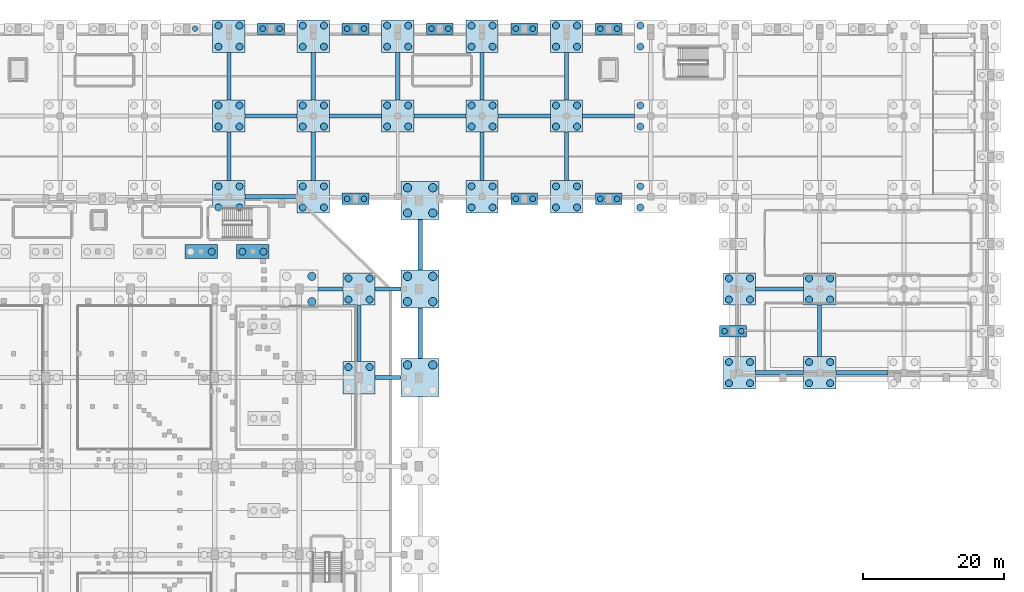
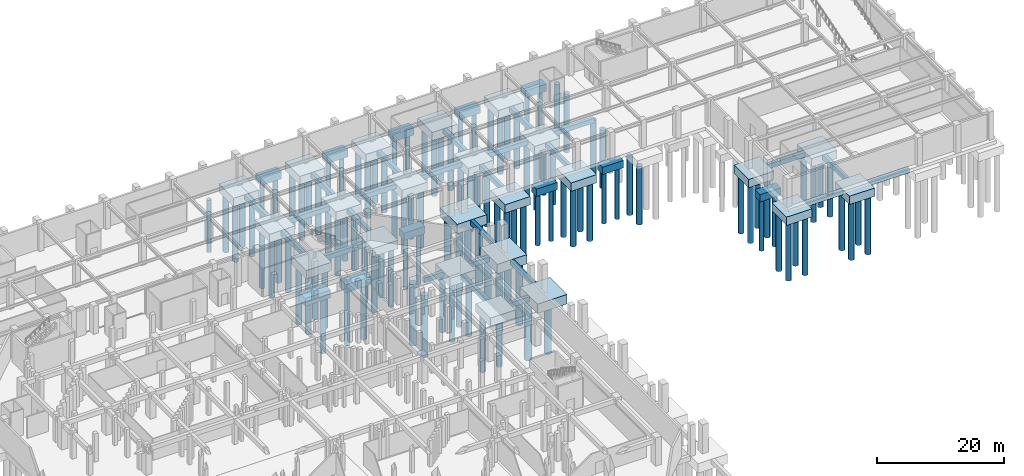
# One storey, part 4 of 27: 118 piles, 59 footings.
"""IFC4 building model written with IfcOpenShell, lengths in metres."""

import ifcopenshell
import ifcopenshell.guid

model = None  # the IFC model being written
_history = None  # IfcOwnerHistory: only IFC2X3 demands one
_inside = {}  # id of a spatial element -> (the spatial element, [elements in it])
_under = {}  # id of a project, library or spatial element -> (it, [spatial elements below it])
_declared = {}  # id of a project -> (the project, [libraries it declares])
_typed = {}  # id of a type object -> (the type object, [elements of that type])
_made_of = {}  # id of a material, layer set ... -> (it, [elements and type objects made of it])


def new_model(schema):
    """Start an empty IFC model of exactly this schema.

    Asked for "IFC4X3", IfcOpenShell would pick the latest addendum, in which some entities
    have other attributes; the version numbers below select the first issue.
    IFC2X3 requires an IfcOwnerHistory on every rooted entity: one is made here for all.
    """
    global model, _history
    if schema == "IFC4X3":
        model = ifcopenshell.file(schema_version=(4, 3, 0, 0))
    else:
        model = ifcopenshell.file(schema=schema)
    _inside.clear()
    _under.clear()
    _declared.clear()
    _typed.clear()
    _made_of.clear()
    _history = None
    if model.schema == "IFC2X3":
        org = make("IfcOrganization", Name="unknown")
        user = make(
            "IfcPersonAndOrganization",
            ThePerson=make("IfcPerson", FamilyName="unknown"),
            TheOrganization=org,
        )
        app = make(
            "IfcApplication",
            ApplicationDeveloper=org,
            Version="unknown",
            ApplicationFullName="unknown",
            ApplicationIdentifier="unknown",
        )
        _history = make(
            "IfcOwnerHistory",
            OwningUser=user,
            OwningApplication=app,
            ChangeAction="ADDED",
            CreationDate=0,
        )
    return model


def make(cls, **values):
    """One entity of the class cls with the attributes given. An attribute that is None is left unset."""
    return model.create_entity(
        cls, **{name: value for name, value in values.items() if value is not None}
    )


def rooted(cls, **values):
    """An entity with a GlobalId (a new one), such as an element, a storey or a relation."""
    return make(cls, GlobalId=ifcopenshell.guid.new(), OwnerHistory=_history, **values)


def si_unit(unit_type, name, prefix=None):
    """IfcSIUnit, for example si_unit("LENGTHUNIT", "METRE", prefix="MILLI")."""
    return make("IfcSIUnit", UnitType=unit_type, Prefix=prefix, Name=name)


def derived_unit(unit_type, elements):
    """IfcDerivedUnit: a product of units, each with its exponent."""
    return make(
        "IfcDerivedUnit",
        Elements=[
            make("IfcDerivedUnitElement", Unit=unit, Exponent=power)
            for unit, power in elements
        ],
        UnitType=unit_type,
    )


def assignment(units):
    """IfcUnitAssignment: the units of a project."""
    return None if units is None else make("IfcUnitAssignment", Units=units)


def point(xyz):
    """IfcCartesianPoint."""
    return None if xyz is None else make("IfcCartesianPoint", Coordinates=xyz)


def direction(xyz):
    """IfcDirection."""
    return None if xyz is None else make("IfcDirection", DirectionRatios=xyz)


def frame(location, z_axis=None, x_axis=None):
    """IfcAxis2Placement3D, a coordinate frame: its origin and axes. An axis left out is left unset."""
    return make(
        "IfcAxis2Placement3D",
        Location=point(location),
        Axis=direction(z_axis),
        RefDirection=direction(x_axis),
    )


def frame_2d(location, x_axis=None):
    """IfcAxis2Placement2D, a coordinate frame in the plane: its origin and x axis."""
    return make(
        "IfcAxis2Placement2D", Location=point(location), RefDirection=direction(x_axis)
    )


def origin():
    """The frame at (0, 0, 0) with its axes left unset."""
    return frame((0.0, 0.0, 0.0))


def origin_2d():
    """The frame at (0, 0) in the plane with its x axis left unset."""
    return frame_2d((0.0, 0.0))


def place(relative_to, where):
    """IfcLocalPlacement: puts the frame where relative to a parent placement (None: the world)."""
    return make(
        "IfcLocalPlacement", PlacementRelTo=relative_to, RelativePlacement=where
    )


def context(
    kind, dimensions, precision=None, world=None, true_north=None, identifier=None
):
    """IfcGeometricRepresentationContext, for example the 3D "Model" context."""
    return make(
        "IfcGeometricRepresentationContext",
        ContextIdentifier=identifier,
        ContextType=kind,
        CoordinateSpaceDimension=dimensions,
        Precision=precision,
        WorldCoordinateSystem=world,
        TrueNorth=true_north,
    )


def subcontext(parent, identifier, kind, view, scale=None):
    """IfcGeometricRepresentationSubContext, for example "Body" below "Model"."""
    return make(
        "IfcGeometricRepresentationSubContext",
        ContextIdentifier=identifier,
        ContextType=kind,
        ParentContext=parent,
        TargetScale=scale,
        TargetView=view,
    )


def project(units=None, contexts=None):
    """IfcProject with its units and contexts."""
    return rooted(
        "IfcProject",
        Name="project",
        RepresentationContexts=contexts,
        UnitsInContext=assignment(units),
    )


def spatial(cls, under=None, at=None, **own):
    """A site, building, storey or space (cls), placed at a placement, below another one or the project."""
    s = rooted(cls, ObjectPlacement=at, **own)
    if under is not None:
        _under.setdefault(under.id(), (under, []))[1].append(s)
    return s


def profile(cls, at=None, kind="AREA", **sizes):
    """A parametric profile (cls). Its sizes go by their IFC names, for example OverallWidth=200.0."""
    return make(cls, ProfileType=kind, Position=at, **sizes)


def rectangle(**sizes):
    """IfcRectangleProfileDef."""
    return profile("IfcRectangleProfileDef", **sizes)


def circle(**sizes):
    """IfcCircleProfileDef."""
    return profile("IfcCircleProfileDef", **sizes)


def extrude(swept, where, along, depth):
    """IfcExtrudedAreaSolid: the profile swept, set in the frame where, extruded along a direction by depth."""
    return make(
        "IfcExtrudedAreaSolid",
        SweptArea=swept,
        Position=where,
        ExtrudedDirection=direction(along),
        Depth=depth,
    )


def shape(context_of_items, identifier, shape_type, items):
    """IfcShapeRepresentation: the items that make up one representation, for example the "Body"."""
    return make(
        "IfcShapeRepresentation",
        ContextOfItems=context_of_items,
        RepresentationIdentifier=identifier,
        RepresentationType=shape_type,
        Items=items,
    )


def material(Name=None, Category=None):
    """IfcMaterial."""
    return make("IfcMaterial", Name=Name, Category=Category)


def layer(
    of_material, thickness, ventilated=None, Name=None, Category=None, Priority=None
):
    """IfcMaterialLayer: one layer of a wall or slab, of a material (None: an air gap)."""
    return make(
        "IfcMaterialLayer",
        Material=of_material,
        LayerThickness=thickness,
        IsVentilated=ventilated,
        Name=Name,
        Category=Category,
        Priority=Priority,
    )


def layer_set(layers, Name=None):
    """IfcMaterialLayerSet."""
    return make("IfcMaterialLayerSet", MaterialLayers=layers, LayerSetName=Name)


def material_profile(
    of_material, cross_section, Name=None, Category=None, Priority=None
):
    """IfcMaterialProfile: a cross section and its material."""
    return make(
        "IfcMaterialProfile",
        Name=Name,
        Material=of_material,
        Profile=cross_section,
        Priority=Priority,
        Category=Category,
    )


def profile_set(profiles, Name=None, composite=None):
    """IfcMaterialProfileSet."""
    return make(
        "IfcMaterialProfileSet",
        Name=Name,
        MaterialProfiles=profiles,
        CompositeProfile=composite,
    )


def made_of(thing, what):
    """Note that an element or type object is made of a material, layer set ...; save() writes the relation."""
    if what is not None:
        _made_of.setdefault(what.id(), (what, []))[1].append(thing)
    return thing


def type_object(cls, material=None, **own):
    """A type object (cls), such as IfcWallType, which elements share."""
    return made_of(rooted(cls, **own), material)


def element(
    cls,
    number,
    at=None,
    inside=None,
    cuts=None,
    type_object=None,
    material=None,
    context=None,
    identifier="Body",
    shape_type=None,
    held_by="IfcProductDefinitionShape",
    body=None,
    shapes=None,
    **own,
):
    """One element of the class cls, such as IfcWall. Its Tag is "e" and its number.

    at: its placement. inside: the storey or other place that contains it. cuts: it is an
    opening in that element (IfcRelVoidsElement). A single representation is given by context,
    identifier, shape_type and body (its items); several are given by shapes. held_by: the class
    of the entity that holds the representations. save() writes the other relations.
    """
    e = rooted(cls, Tag="e%d" % number, ObjectPlacement=at, **own)
    if body is not None:
        shapes = [shape(context, identifier, shape_type, body)]
    if shapes is not None:
        e.Representation = make(held_by, Representations=shapes)
    if inside is not None:
        _inside.setdefault(inside.id(), (inside, []))[1].append(e)
    if cuts is not None:
        rooted(
            "IfcRelVoidsElement", RelatingBuildingElement=cuts, RelatedOpeningElement=e
        )
    if type_object is not None:
        _typed.setdefault(type_object.id(), (type_object, []))[1].append(e)
    return made_of(e, material)


def aggregate(whole, parts):
    """IfcRelAggregates: a whole, such as a stair, and the parts it consists of."""
    return rooted("IfcRelAggregates", RelatingObject=whole, RelatedObjects=parts)


def save(model, path):
    """Write the relations noted so far, then the file.

    IfcRelAggregates (storeys below a building ...), IfcRelContainedInSpatialStructure (elements
    in a storey), IfcRelDefinesByType, IfcRelAssociatesMaterial and IfcRelDeclares: one each for
    every whole, place, type object, material and project.
    """
    for whole, parts in _under.values():
        aggregate(whole, parts)
    for where, things in _inside.values():
        rooted(
            "IfcRelContainedInSpatialStructure",
            RelatedElements=things,
            RelatingStructure=where,
        )
    for kind, things in _typed.values():
        rooted("IfcRelDefinesByType", RelatedObjects=things, RelatingType=kind)
    for what, things in _made_of.values():
        rooted("IfcRelAssociatesMaterial", RelatedObjects=things, RelatingMaterial=what)
    for by, libraries in _declared.values():
        rooted("IfcRelDeclares", RelatingContext=by, RelatedDefinitions=libraries)
    model.write(path)


model = new_model("IFC4")

# Units and contexts
model_context = context("Model", 3, precision=1e-05, world=origin(), true_north=direction((0.0, 1.0)))
body_context = subcontext(model_context, "Body", "Model", "MODEL_VIEW")
ifc_project = project(units=[si_unit("LENGTHUNIT", "METRE"), si_unit("AREAUNIT", "SQUARE_METRE"), si_unit("VOLUMEUNIT", "CUBIC_METRE"), si_unit("PLANEANGLEUNIT", "RADIAN"), si_unit("MASSUNIT", "GRAM", prefix="KILO"), derived_unit("THERMALTRANSMITTANCEUNIT", [(si_unit("MASSUNIT", "GRAM", prefix="KILO"), 1), (si_unit("TIMEUNIT", "SECOND"), -3), (si_unit("THERMODYNAMICTEMPERATUREUNIT", "KELVIN"), -1)])], contexts=[model_context])

# Site, building, storey
site_placement = place(None, origin())
site = spatial("IfcSite", under=ifc_project, at=site_placement, CompositionType="ELEMENT")
building_placement = place(site_placement, origin())
building = spatial("IfcBuilding", under=site, at=building_placement, Name="Valcora Ridge Arena", CompositionType="ELEMENT")
storey_placement = place(building_placement, frame((0.0, 0.0, -5.39990234375)))
storey = spatial("IfcBuildingStorey", under=building, at=storey_placement, Name="B1", CompositionType="ELEMENT", Elevation=-5.39990234375)

# Footings
ifc_material_1 = material(Name="Concrete C40/50", Category="concrete")
ifc_layer_1 = layer(ifc_material_1, 1.5, Name="Concrete C40/50")
ifc_layer_set_1 = layer_set([ifc_layer_1], Name="Concrete C40/50")
footing_type_1 = type_object("IfcFootingType", Name="TY-FOOTING-PC-2P1000", PredefinedType="PILE_CAP", material=ifc_layer_set_1)
for number, where, z_axis, x_axis, name in (
    (1, (87.39990234375, 100.89990234375, -2.10009765625), (0.0, 0.0, 1.0), (1.0, 0.0, 0.0), "PC-2P1000 FND-PC-0274"),
    (2, (80.050048828125, 100.89990234375, -2.10009765625), (0.0, 0.0, 1.0), (1.0, 0.0, 0.0), "PC-2P1000 FND-PC-0275"),
):
    element("IfcFooting", number, at=place(storey_placement, frame(where, z_axis=z_axis, x_axis=x_axis)), inside=storey, type_object=footing_type_1, Name=name, PredefinedType="PILE_CAP", context=body_context, shape_type="SweptSolid", body=[
        extrude(rectangle(XDim=4.60009765625, YDim=2.0, at=origin_2d()), origin(), (0.0, 0.0, 1.0), 1.5),
    ])
ifc_layer_2 = layer(ifc_material_1, 1.39990234375, Name="Concrete C40/50")
ifc_layer_set_2 = layer_set([ifc_layer_2], Name="Concrete C40/50")
footing_type_2 = type_object("IfcFootingType", Name="TY-FOOTING-PC-2P800", PredefinedType="PILE_CAP", material=ifc_layer_set_2)
for number, where, z_axis, x_axis, name in (
    (3, (90.0, 132.6201171875, -2.0), (0.0, 0.0, 1.0), (1.0, 0.0, 0.0), "PC-2P800 FND-PC-0222"),
    (4, (102.0, 132.6201171875, -2.0), (0.0, 0.0, 1.0), (1.0, 0.0, 0.0), "PC-2P800 FND-PC-0223"),
    (5, (114.0, 132.6201171875, -2.0), (0.0, 0.0, 1.0), (1.0, 0.0, 0.0), "PC-2P800 FND-PC-0224"),
    (6, (126.0, 132.6201171875, -2.0), (0.0, 0.0, 1.0), (1.0, 0.0, 0.0), "PC-2P800 FND-PC-0225"),
    (7, (138.0, 132.6201171875, -2.0), (0.0, 0.0, 1.0), (1.0, 0.0, 0.0), "PC-2P800 FND-PC-0226"),
    (8, (155.679931640625, 89.60009765625, -2.0), (0.0, 0.0, 1.0), (1.0, 0.0, 0.0), "PC-2P800 FND-PC-0236"),
    (9, (102.0, 108.419921875, -2.0), (0.0, 0.0, 1.0), (1.0, 0.0, 0.0), "PC-2P800 FND-PC-0239"),
    (10, (126.0, 108.419921875, -2.0), (0.0, 0.0, 1.0), (1.0, 0.0, 0.0), "PC-2P800 FND-PC-0240"),
    (11, (138.0, 108.419921875, -2.0), (0.0, 0.0, 1.0), (1.0, 0.0, 0.0), "PC-2P800 FND-PC-0241"),
):
    element("IfcFooting", number, at=place(storey_placement, frame(where, z_axis=z_axis, x_axis=x_axis)), inside=storey, type_object=footing_type_2, Name=name, PredefinedType="PILE_CAP", context=body_context, shape_type="SweptSolid", body=[
        extrude(rectangle(XDim=3.800048828125, YDim=1.60009765625, at=origin_2d()), origin(), (0.0, 0.0, 1.0), 1.39990234375),
    ])
ifc_layer_3 = layer(ifc_material_1, 1.60009765625, Name="Concrete C40/50")
ifc_layer_set_3 = layer_set([ifc_layer_3], Name="Concrete C40/50")
footing_type_3 = type_object("IfcFootingType", Name="TY-FOOTING-PC-4P1000", PredefinedType="PILE_CAP", material=ifc_layer_set_3)
for number, where, z_axis, x_axis, name in (
    (12, (102.5, 83.0, -2.2001953125), (0.0, 0.0, 1.0), (1.0, 0.0, 0.0), "PC-4P1000 FND-PC-0061"),
    (13, (102.5, 95.60009765625, -2.2001953125), (0.0, 0.0, 1.0), (1.0, 0.0, 0.0), "PC-4P1000 FND-PC-0062"),
    (14, (84.0, 108.699951171875, -2.2001953125), (0.0, 0.0, 1.0), (1.0, 0.0, 0.0), "PC-4P1000 FND-PC-0078"),
    (15, (84.0, 120.199951171875, -2.2001953125), (0.0, 0.0, 1.0), (1.0, 0.0, 0.0), "PC-4P1000 FND-PC-0079"),
    (16, (84.0, 131.550048828125, -2.2001953125), (0.0, 0.0, 1.0), (1.0, 0.0, 0.0), "PC-4P1000 FND-PC-0080"),
    (17, (96.0, 108.699951171875, -2.2001953125), (0.0, 0.0, 1.0), (1.0, 0.0, 0.0), "PC-4P1000 FND-PC-0081"),
    (18, (96.0, 120.199951171875, -2.2001953125), (0.0, 0.0, 1.0), (1.0, 0.0, 0.0), "PC-4P1000 FND-PC-0082"),
    (19, (96.0, 131.550048828125, -2.2001953125), (0.0, 0.0, 1.0), (1.0, 0.0, 0.0), "PC-4P1000 FND-PC-0083"),
    (20, (108.0, 120.199951171875, -2.2001953125), (0.0, 0.0, 1.0), (1.0, 0.0, 0.0), "PC-4P1000 FND-PC-0084"),
    (21, (108.0, 131.550048828125, -2.2001953125), (0.0, 0.0, 1.0), (1.0, 0.0, 0.0), "PC-4P1000 FND-PC-0085"),
    (22, (120.0, 108.699951171875, -2.2001953125), (0.0, 0.0, 1.0), (1.0, 0.0, 0.0), "PC-4P1000 FND-PC-0086"),
    (23, (120.0, 120.199951171875, -2.2001953125), (0.0, 0.0, 1.0), (1.0, 0.0, 0.0), "PC-4P1000 FND-PC-0087"),
    (24, (120.0, 131.550048828125, -2.2001953125), (0.0, 0.0, 1.0), (1.0, 0.0, 0.0), "PC-4P1000 FND-PC-0088"),
    (25, (132.0, 108.699951171875, -2.2001953125), (0.0, 0.0, 1.0), (1.0, 0.0, 0.0), "PC-4P1000 FND-PC-0089"),
    (26, (132.0, 120.199951171875, -2.2001953125), (0.0, 0.0, 1.0), (1.0, 0.0, 0.0), "PC-4P1000 FND-PC-0090"),
    (27, (132.0, 131.550048828125, -2.2001953125), (0.0, 0.0, 1.0), (1.0, 0.0, 0.0), "PC-4P1000 FND-PC-0091"),
    (28, (156.60009765625, 83.699951171875, -2.2001953125), (0.0, 0.0, 1.0), (1.0, 0.0, 0.0), "PC-4P1000 FND-PC-0107"),
    (29, (156.60009765625, 95.60009765625, -2.2001953125), (0.0, 0.0, 1.0), (1.0, 0.0, 0.0), "PC-4P1000 FND-PC-0108"),
    (30, (168.0, 83.699951171875, -2.2001953125), (0.0, 0.0, 1.0), (1.0, 0.0, 0.0), "PC-4P1000 FND-PC-0109"),
    (31, (168.0, 95.60009765625, -2.2001953125), (0.0, 0.0, 1.0), (1.0, 0.0, 0.0), "PC-4P1000 FND-PC-0110"),
):
    element("IfcFooting", number, at=place(storey_placement, frame(where, z_axis=z_axis, x_axis=x_axis)), inside=storey, type_object=footing_type_3, Name=name, PredefinedType="PILE_CAP", context=body_context, shape_type="SweptSolid", body=[
        extrude(rectangle(XDim=4.60009765625, YDim=4.60009765625, at=origin_2d()), origin(), (0.0, 0.0, 1.0), 1.60009765625),
    ])
ifc_layer_4 = layer(ifc_material_1, 1.800048828125, Name="Concrete C40/50")
ifc_layer_set_4 = layer_set([ifc_layer_4], Name="Concrete C40/50")
footing_type_4 = type_object("IfcFootingType", Name="TY-FOOTING-PC-4P1200", PredefinedType="PILE_CAP", material=ifc_layer_set_4)
for number, where, z_axis, x_axis, name in (
    (32, (111.199951171875, 83.0, -2.39990234375), (0.0, 0.0, 1.0), (1.0, 0.0, 0.0), "PC-4P1200 FND-PC-0006"),
    (33, (111.199951171875, 95.60009765625, -2.39990234375), (0.0, 0.0, 1.0), (1.0, 0.0, 0.0), "PC-4P1200 FND-PC-0007"),
    (34, (111.199951171875, 108.199951171875, -2.39990234375), (0.0, 0.0, 1.0), (1.0, 0.0, 0.0), "PC-4P1200 FND-PC-0008"),
):
    element("IfcFooting", number, at=place(storey_placement, frame(where, z_axis=z_axis, x_axis=x_axis)), inside=storey, type_object=footing_type_4, Name=name, PredefinedType="PILE_CAP", context=body_context, shape_type="SweptSolid", body=[
        extrude(rectangle(XDim=5.39990234375, YDim=5.39990234375, at=origin_2d()), origin(), (0.0, 0.0, 1.0), 1.800048828125),
    ])
ifc_layer_5 = layer(ifc_material_1, 0.89990234375, Name="Concrete C40/50")
ifc_layer_set_5 = layer_set([ifc_layer_5], Name="Concrete C40/50")
footing_type_5 = type_object("IfcFootingType", Name="TY-FOOTING-TBX-035", PredefinedType="FOOTING_BEAM", material=ifc_layer_set_5)
footing_1_placement = place(storey_placement, frame((98.449951171875, 95.60009765625, -1.5), z_axis=(0.0, 0.0, 1.0), x_axis=(1.0, 0.0, 0.0)))
element("IfcFooting", 35, at=footing_1_placement, inside=storey, type_object=footing_type_5, Name="TBX-035 FND-TB-0053", PredefinedType="FOOTING_BEAM", context=body_context, shape_type="SweptSolid", body=[
    extrude(rectangle(XDim=3.498046875, YDim=0.60009765625, at=origin_2d()), origin(), (0.0, 0.0, 1.0), 0.89990234375),
])
ifc_layer_6 = layer(ifc_material_1, 0.89990234375, Name="Concrete C40/50")
ifc_layer_set_6 = layer_set([ifc_layer_6], Name="Concrete C40/50")
footing_type_6 = type_object("IfcFootingType", Name="TY-FOOTING-TBX-037", PredefinedType="FOOTING_BEAM", material=ifc_layer_set_6)
for number, where, z_axis, x_axis, name in (
    (36, (106.64990234375, 83.0, -1.5), (0.0, 0.0, 1.0), (1.0, 0.0, 0.0), "TBX-037 FND-TB-0045"),
    (37, (106.64990234375, 95.60009765625, -1.5), (0.0, 0.0, 1.0), (1.0, 0.0, 0.0), "TBX-037 FND-TB-0054"),
):
    element("IfcFooting", number, at=place(storey_placement, frame(where, z_axis=z_axis, x_axis=x_axis)), inside=storey, type_object=footing_type_6, Name=name, PredefinedType="FOOTING_BEAM", context=body_context, shape_type="SweptSolid", body=[
        extrude(rectangle(XDim=3.697998046875, YDim=0.60009765625, at=origin_2d()), origin(), (0.0, 0.0, 1.0), 0.89990234375),
    ])
ifc_layer_7 = layer(ifc_material_1, 0.89990234375, Name="Concrete C40/50")
ifc_layer_set_7 = layer_set([ifc_layer_7], Name="Concrete C40/50")
footing_type_7 = type_object("IfcFootingType", Name="TY-FOOTING-TBX-068", PredefinedType="FOOTING_BEAM", material=ifc_layer_set_7)
for number, where, z_axis, x_axis, name in (
    (38, (162.300048828125, 95.60009765625, -1.5), (0.0, 0.0, 1.0), (1.0, 0.0, 0.0), "TBX-068 FND-TB-0055"),
    (39, (162.300048828125, 83.699951171875, -1.5), (0.0, 0.0, 1.0), (1.0, 0.0, 0.0), "TBX-068 FND-TB-0082"),
):
    element("IfcFooting", number, at=place(storey_placement, frame(where, z_axis=z_axis, x_axis=x_axis)), inside=storey, type_object=footing_type_7, Name=name, PredefinedType="FOOTING_BEAM", context=body_context, shape_type="SweptSolid", body=[
        extrude(rectangle(XDim=6.798095703125, YDim=0.60009765625, at=origin_2d()), origin(), (0.0, 0.0, 1.0), 0.89990234375),
    ])
ifc_layer_8 = layer(ifc_material_1, 0.89990234375, Name="Concrete C40/50")
ifc_layer_set_8 = layer_set([ifc_layer_8], Name="Concrete C40/50")
footing_type_8 = type_object("IfcFootingType", Name="TY-FOOTING-TBX-074", PredefinedType="FOOTING_BEAM", material=ifc_layer_set_8)
for number, where, z_axis, x_axis, name in (
    (40, (90.0, 108.699951171875, -1.5), (0.0, 0.0, 1.0), (1.0, 0.0, 0.0), "TBX-074 FND-TB-0062"),
    (41, (90.0, 120.199951171875, -1.5), (0.0, 0.0, 1.0), (1.0, 0.0, 0.0), "TBX-074 FND-TB-0071"),
    (42, (102.0, 120.199951171875, -1.5), (0.0, 0.0, 1.0), (1.0, 0.0, 0.0), "TBX-074 FND-TB-0072"),
    (43, (114.0, 120.199951171875, -1.5), (0.0, 0.0, 1.0), (1.0, 0.0, 0.0), "TBX-074 FND-TB-0073"),
    (44, (126.0, 120.199951171875, -1.5), (0.0, 0.0, 1.0), (1.0, 0.0, 0.0), "TBX-074 FND-TB-0074"),
    (45, (138.0, 120.199951171875, -1.5), (0.0, 0.0, 1.0), (1.0, 0.0, 0.0), "TBX-074 FND-TB-0075"),
    (46, (174.0, 83.699951171875, -1.5), (0.0, 0.0, 1.0), (1.0, 0.0, 0.0), "TBX-074 FND-TB-0083"),
):
    element("IfcFooting", number, at=place(storey_placement, frame(where, z_axis=z_axis, x_axis=x_axis)), inside=storey, type_object=footing_type_8, Name=name, PredefinedType="FOOTING_BEAM", context=body_context, shape_type="SweptSolid", body=[
        extrude(rectangle(XDim=7.39794921875, YDim=0.60009765625, at=origin_2d()), origin(), (0.0, 0.0, 1.0), 0.89990234375),
    ])
ifc_layer_9 = layer(ifc_material_1, 0.89990234375, Name="Concrete C40/50")
ifc_layer_set_9 = layer_set([ifc_layer_9], Name="Concrete C40/50")
footing_type_9 = type_object("IfcFootingType", Name="TY-FOOTING-TBY-067", PredefinedType="FOOTING_BEAM", material=ifc_layer_set_9)
for number, where, z_axis, x_axis, name in (
    (47, (84.0, 125.875, -1.5), (0.0, 0.0, 1.0), (1.0, 0.0, 0.0), "TBY-067 FND-TB-0147"),
    (48, (96.0, 125.875, -1.5), (0.0, 0.0, 1.0), (1.0, 0.0, 0.0), "TBY-067 FND-TB-0149"),
    (49, (108.0, 125.875, -1.5), (0.0, 0.0, 1.0), (1.0, 0.0, 0.0), "TBY-067 FND-TB-0150"),
    (50, (120.0, 125.875, -1.5), (0.0, 0.0, 1.0), (1.0, 0.0, 0.0), "TBY-067 FND-TB-0152"),
    (51, (132.0, 125.875, -1.5), (0.0, 0.0, 1.0), (1.0, 0.0, 0.0), "TBY-067 FND-TB-0154"),
):
    element("IfcFooting", number, at=place(storey_placement, frame(where, z_axis=z_axis, x_axis=x_axis)), inside=storey, type_object=footing_type_9, Name=name, PredefinedType="FOOTING_BEAM", context=body_context, shape_type="SweptSolid", body=[
        extrude(rectangle(XDim=0.60009765625, YDim=6.748046875, at=origin_2d()), origin(), (0.0, 0.0, 1.0), 0.89990234375),
    ])
ifc_layer_10 = layer(ifc_material_1, 0.89990234375, Name="Concrete C40/50")
ifc_layer_set_10 = layer_set([ifc_layer_10], Name="Concrete C40/50")
footing_type_10 = type_object("IfcFootingType", Name="TY-FOOTING-TBY-069", PredefinedType="FOOTING_BEAM", material=ifc_layer_set_10)
for number, where, z_axis, x_axis, name in (
    (52, (84.0, 114.449951171875, -1.5), (0.0, 0.0, 1.0), (1.0, 0.0, 0.0), "TBY-069 FND-TB-0146"),
    (53, (96.0, 114.449951171875, -1.5), (0.0, 0.0, 1.0), (1.0, 0.0, 0.0), "TBY-069 FND-TB-0148"),
    (54, (120.0, 114.449951171875, -1.5), (0.0, 0.0, 1.0), (1.0, 0.0, 0.0), "TBY-069 FND-TB-0151"),
    (55, (132.0, 114.449951171875, -1.5), (0.0, 0.0, 1.0), (1.0, 0.0, 0.0), "TBY-069 FND-TB-0153"),
):
    element("IfcFooting", number, at=place(storey_placement, frame(where, z_axis=z_axis, x_axis=x_axis)), inside=storey, type_object=footing_type_10, Name=name, PredefinedType="FOOTING_BEAM", context=body_context, shape_type="SweptSolid", body=[
        extrude(rectangle(XDim=0.60009765625, YDim=6.89794921875, at=origin_2d()), origin(), (0.0, 0.0, 1.0), 0.89990234375),
    ])
ifc_layer_11 = layer(ifc_material_1, 0.89990234375, Name="Concrete C40/50")
ifc_layer_set_11 = layer_set([ifc_layer_11], Name="Concrete C40/50")
footing_type_11 = type_object("IfcFootingType", Name="TY-FOOTING-TBY-072", PredefinedType="FOOTING_BEAM", material=ifc_layer_set_11)
for number, where, z_axis, x_axis, name in (
    (56, (111.199951171875, 89.300048828125, -1.5), (0.0, 0.0, 1.0), (1.0, 0.0, 0.0), "TBY-072 FND-TB-0090"),
    (57, (111.199951171875, 101.89990234375, -1.5), (0.0, 0.0, 1.0), (1.0, 0.0, 0.0), "TBY-072 FND-TB-0091"),
):
    element("IfcFooting", number, at=place(storey_placement, frame(where, z_axis=z_axis, x_axis=x_axis)), inside=storey, type_object=footing_type_11, Name=name, PredefinedType="FOOTING_BEAM", context=body_context, shape_type="SweptSolid", body=[
        extrude(rectangle(XDim=0.60009765625, YDim=7.197998046875, at=origin_2d()), origin(), (0.0, 0.0, 1.0), 0.89990234375),
    ])
ifc_layer_12 = layer(ifc_material_1, 0.89990234375, Name="Concrete C40/50")
ifc_layer_set_12 = layer_set([ifc_layer_12], Name="Concrete C40/50")
footing_type_12 = type_object("IfcFootingType", Name="TY-FOOTING-TBY-073", PredefinedType="FOOTING_BEAM", material=ifc_layer_set_12)
footing_2_placement = place(storey_placement, frame((168.0, 89.64990234375, -1.5), z_axis=(0.0, 0.0, 1.0), x_axis=(1.0, 0.0, 0.0)))
element("IfcFooting", 58, at=footing_2_placement, inside=storey, type_object=footing_type_12, Name="TBY-073 FND-TB-0159", PredefinedType="FOOTING_BEAM", context=body_context, shape_type="SweptSolid", body=[
    extrude(rectangle(XDim=0.60009765625, YDim=7.298095703125, at=origin_2d()), origin(), (0.0, 0.0, 1.0), 0.89990234375),
])
ifc_layer_13 = layer(ifc_material_1, 0.89990234375, Name="Concrete C40/50")
ifc_layer_set_13 = layer_set([ifc_layer_13], Name="Concrete C40/50")
footing_type_13 = type_object("IfcFootingType", Name="TY-FOOTING-TBY-080", PredefinedType="FOOTING_BEAM", material=ifc_layer_set_13)
footing_3_placement = place(storey_placement, frame((102.5, 89.300048828125, -1.5), z_axis=(0.0, 0.0, 1.0), x_axis=(1.0, 0.0, 0.0)))
element("IfcFooting", 59, at=footing_3_placement, inside=storey, type_object=footing_type_13, Name="TBY-080 FND-TB-0139", PredefinedType="FOOTING_BEAM", context=body_context, shape_type="SweptSolid", body=[
    extrude(rectangle(XDim=0.60009765625, YDim=7.998046875, at=origin_2d()), origin(), (0.0, 0.0, 1.0), 0.89990234375),
])

# Piles
ifc_material_2 = material(Name="Concrete C35/45", Category="concrete")
ifc_material_profile_1 = material_profile(ifc_material_2, circle(Radius=0.5, at=origin_2d()), Name="BORED PILE D1000")
ifc_profile_set_1 = profile_set([ifc_material_profile_1], Name="Concrete C35/45")
pile_type_1 = type_object("IfcPileType", Name="TY-PILE-P-1000A", PredefinedType="BORED", material=ifc_profile_set_1)
for number, where, z_axis, x_axis, name in (
    (60, (101.0, 84.5, -2.10009765625), (0.0, 0.0, -1.0), (1.0, 0.0, 0.0), "P-1000A FND-PL-P-1000A-0059"),
    (61, (104.0, 84.5, -2.10009765625), (0.0, 0.0, -1.0), (1.0, 0.0, 0.0), "P-1000A FND-PL-P-1000A-0060"),
    (62, (101.0, 94.10009765625, -2.10009765625), (0.0, 0.0, -1.0), (1.0, 0.0, 0.0), "P-1000A FND-PL-P-1000A-0061"),
    (63, (104.0, 94.10009765625, -2.10009765625), (0.0, 0.0, -1.0), (1.0, 0.0, 0.0), "P-1000A FND-PL-P-1000A-0062"),
    (64, (101.0, 97.10009765625, -2.10009765625), (0.0, 0.0, -1.0), (1.0, 0.0, 0.0), "P-1000A FND-PL-P-1000A-0063"),
    (65, (104.0, 97.10009765625, -2.10009765625), (0.0, 0.0, -1.0), (1.0, 0.0, 0.0), "P-1000A FND-PL-P-1000A-0064"),
    (66, (82.5, 107.199951171875, -2.10009765625), (0.0, 0.0, -1.0), (1.0, 0.0, 0.0), "P-1000A FND-PL-P-1000A-0125"),
    (67, (85.5, 107.199951171875, -2.10009765625), (0.0, 0.0, -1.0), (1.0, 0.0, 0.0), "P-1000A FND-PL-P-1000A-0126"),
    (68, (82.5, 110.199951171875, -2.10009765625), (0.0, 0.0, -1.0), (1.0, 0.0, 0.0), "P-1000A FND-PL-P-1000A-0127"),
    (69, (85.5, 110.199951171875, -2.10009765625), (0.0, 0.0, -1.0), (1.0, 0.0, 0.0), "P-1000A FND-PL-P-1000A-0128"),
    (70, (82.5, 118.699951171875, -2.10009765625), (0.0, 0.0, -1.0), (1.0, 0.0, 0.0), "P-1000A FND-PL-P-1000A-0129"),
    (71, (85.5, 118.699951171875, -2.10009765625), (0.0, 0.0, -1.0), (1.0, 0.0, 0.0), "P-1000A FND-PL-P-1000A-0130"),
    (72, (82.5, 121.699951171875, -2.10009765625), (0.0, 0.0, -1.0), (1.0, 0.0, 0.0), "P-1000A FND-PL-P-1000A-0131"),
    (73, (85.5, 121.699951171875, -2.10009765625), (0.0, 0.0, -1.0), (1.0, 0.0, 0.0), "P-1000A FND-PL-P-1000A-0132"),
    (74, (82.5, 130.050048828125, -2.10009765625), (0.0, 0.0, -1.0), (1.0, 0.0, 0.0), "P-1000A FND-PL-P-1000A-0133"),
    (75, (85.5, 130.050048828125, -2.10009765625), (0.0, 0.0, -1.0), (1.0, 0.0, 0.0), "P-1000A FND-PL-P-1000A-0134"),
    (76, (82.5, 133.050048828125, -2.10009765625), (0.0, 0.0, -1.0), (1.0, 0.0, 0.0), "P-1000A FND-PL-P-1000A-0135"),
    (77, (85.5, 133.050048828125, -2.10009765625), (0.0, 0.0, -1.0), (1.0, 0.0, 0.0), "P-1000A FND-PL-P-1000A-0136"),
    (78, (94.5, 107.199951171875, -2.10009765625), (0.0, 0.0, -1.0), (1.0, 0.0, 0.0), "P-1000A FND-PL-P-1000A-0137"),
    (79, (97.5, 107.199951171875, -2.10009765625), (0.0, 0.0, -1.0), (1.0, 0.0, 0.0), "P-1000A FND-PL-P-1000A-0138"),
    (80, (94.5, 110.199951171875, -2.10009765625), (0.0, 0.0, -1.0), (1.0, 0.0, 0.0), "P-1000A FND-PL-P-1000A-0139"),
    (81, (97.5, 110.199951171875, -2.10009765625), (0.0, 0.0, -1.0), (1.0, 0.0, 0.0), "P-1000A FND-PL-P-1000A-0140"),
    (82, (94.5, 118.699951171875, -2.10009765625), (0.0, 0.0, -1.0), (1.0, 0.0, 0.0), "P-1000A FND-PL-P-1000A-0141"),
    (83, (97.5, 118.699951171875, -2.10009765625), (0.0, 0.0, -1.0), (1.0, 0.0, 0.0), "P-1000A FND-PL-P-1000A-0142"),
    (84, (94.5, 121.699951171875, -2.10009765625), (0.0, 0.0, -1.0), (1.0, 0.0, 0.0), "P-1000A FND-PL-P-1000A-0143"),
    (85, (97.5, 121.699951171875, -2.10009765625), (0.0, 0.0, -1.0), (1.0, 0.0, 0.0), "P-1000A FND-PL-P-1000A-0144"),
    (86, (94.5, 130.050048828125, -2.10009765625), (0.0, 0.0, -1.0), (1.0, 0.0, 0.0), "P-1000A FND-PL-P-1000A-0145"),
    (87, (97.5, 130.050048828125, -2.10009765625), (0.0, 0.0, -1.0), (1.0, 0.0, 0.0), "P-1000A FND-PL-P-1000A-0146"),
    (88, (94.5, 133.050048828125, -2.10009765625), (0.0, 0.0, -1.0), (1.0, 0.0, 0.0), "P-1000A FND-PL-P-1000A-0147"),
    (89, (97.5, 133.050048828125, -2.10009765625), (0.0, 0.0, -1.0), (1.0, 0.0, 0.0), "P-1000A FND-PL-P-1000A-0148"),
    (90, (106.5, 118.699951171875, -2.10009765625), (0.0, 0.0, -1.0), (1.0, 0.0, 0.0), "P-1000A FND-PL-P-1000A-0149"),
    (91, (109.5, 118.699951171875, -2.10009765625), (0.0, 0.0, -1.0), (1.0, 0.0, 0.0), "P-1000A FND-PL-P-1000A-0150"),
    (92, (106.5, 121.699951171875, -2.10009765625), (0.0, 0.0, -1.0), (1.0, 0.0, 0.0), "P-1000A FND-PL-P-1000A-0151"),
    (93, (109.5, 121.699951171875, -2.10009765625), (0.0, 0.0, -1.0), (1.0, 0.0, 0.0), "P-1000A FND-PL-P-1000A-0152"),
    (94, (106.5, 130.050048828125, -2.10009765625), (0.0, 0.0, -1.0), (1.0, 0.0, 0.0), "P-1000A FND-PL-P-1000A-0153"),
    (95, (109.5, 130.050048828125, -2.10009765625), (0.0, 0.0, -1.0), (1.0, 0.0, 0.0), "P-1000A FND-PL-P-1000A-0154"),
    (96, (106.5, 133.050048828125, -2.10009765625), (0.0, 0.0, -1.0), (1.0, 0.0, 0.0), "P-1000A FND-PL-P-1000A-0155"),
    (97, (109.5, 133.050048828125, -2.10009765625), (0.0, 0.0, -1.0), (1.0, 0.0, 0.0), "P-1000A FND-PL-P-1000A-0156"),
    (98, (118.5, 107.199951171875, -2.10009765625), (0.0, 0.0, -1.0), (1.0, 0.0, 0.0), "P-1000A FND-PL-P-1000A-0157"),
    (99, (121.5, 107.199951171875, -2.10009765625), (0.0, 0.0, -1.0), (1.0, 0.0, 0.0), "P-1000A FND-PL-P-1000A-0158"),
    (100, (118.5, 110.199951171875, -2.10009765625), (0.0, 0.0, -1.0), (1.0, 0.0, 0.0), "P-1000A FND-PL-P-1000A-0159"),
    (101, (121.5, 110.199951171875, -2.10009765625), (0.0, 0.0, -1.0), (1.0, 0.0, 0.0), "P-1000A FND-PL-P-1000A-0160"),
    (102, (118.5, 118.699951171875, -2.10009765625), (0.0, 0.0, -1.0), (1.0, 0.0, 0.0), "P-1000A FND-PL-P-1000A-0161"),
    (103, (121.5, 118.699951171875, -2.10009765625), (0.0, 0.0, -1.0), (1.0, 0.0, 0.0), "P-1000A FND-PL-P-1000A-0162"),
    (104, (118.5, 121.699951171875, -2.10009765625), (0.0, 0.0, -1.0), (1.0, 0.0, 0.0), "P-1000A FND-PL-P-1000A-0163"),
    (105, (121.5, 121.699951171875, -2.10009765625), (0.0, 0.0, -1.0), (1.0, 0.0, 0.0), "P-1000A FND-PL-P-1000A-0164"),
    (106, (118.5, 130.050048828125, -2.10009765625), (0.0, 0.0, -1.0), (1.0, 0.0, 0.0), "P-1000A FND-PL-P-1000A-0165"),
    (107, (121.5, 130.050048828125, -2.10009765625), (0.0, 0.0, -1.0), (1.0, 0.0, 0.0), "P-1000A FND-PL-P-1000A-0166"),
    (108, (118.5, 133.050048828125, -2.10009765625), (0.0, 0.0, -1.0), (1.0, 0.0, 0.0), "P-1000A FND-PL-P-1000A-0167"),
    (109, (121.5, 133.050048828125, -2.10009765625), (0.0, 0.0, -1.0), (1.0, 0.0, 0.0), "P-1000A FND-PL-P-1000A-0168"),
    (110, (130.5, 107.199951171875, -2.10009765625), (0.0, 0.0, -1.0), (1.0, 0.0, 0.0), "P-1000A FND-PL-P-1000A-0169"),
    (111, (133.5, 107.199951171875, -2.10009765625), (0.0, 0.0, -1.0), (1.0, 0.0, 0.0), "P-1000A FND-PL-P-1000A-0170"),
    (112, (130.5, 110.199951171875, -2.10009765625), (0.0, 0.0, -1.0), (1.0, 0.0, 0.0), "P-1000A FND-PL-P-1000A-0171"),
    (113, (133.5, 110.199951171875, -2.10009765625), (0.0, 0.0, -1.0), (1.0, 0.0, 0.0), "P-1000A FND-PL-P-1000A-0172"),
    (114, (130.5, 118.699951171875, -2.10009765625), (0.0, 0.0, -1.0), (1.0, 0.0, 0.0), "P-1000A FND-PL-P-1000A-0173"),
    (115, (133.5, 118.699951171875, -2.10009765625), (0.0, 0.0, -1.0), (1.0, 0.0, 0.0), "P-1000A FND-PL-P-1000A-0174"),
    (116, (130.5, 121.699951171875, -2.10009765625), (0.0, 0.0, -1.0), (1.0, 0.0, 0.0), "P-1000A FND-PL-P-1000A-0175"),
    (117, (133.5, 121.699951171875, -2.10009765625), (0.0, 0.0, -1.0), (1.0, 0.0, 0.0), "P-1000A FND-PL-P-1000A-0176"),
    (118, (130.5, 130.050048828125, -2.10009765625), (0.0, 0.0, -1.0), (1.0, 0.0, 0.0), "P-1000A FND-PL-P-1000A-0177"),
    (119, (133.5, 130.050048828125, -2.10009765625), (0.0, 0.0, -1.0), (1.0, 0.0, 0.0), "P-1000A FND-PL-P-1000A-0178"),
    (120, (130.5, 133.050048828125, -2.10009765625), (0.0, 0.0, -1.0), (1.0, 0.0, 0.0), "P-1000A FND-PL-P-1000A-0179"),
    (121, (133.5, 133.050048828125, -2.10009765625), (0.0, 0.0, -1.0), (1.0, 0.0, 0.0), "P-1000A FND-PL-P-1000A-0180"),
    (122, (142.5, 107.199951171875, -2.10009765625), (0.0, 0.0, -1.0), (1.0, 0.0, 0.0), "P-1000A FND-PL-P-1000A-0181"),
    (123, (142.5, 110.199951171875, -2.10009765625), (0.0, 0.0, -1.0), (1.0, 0.0, 0.0), "P-1000A FND-PL-P-1000A-0183"),
    (124, (142.5, 118.699951171875, -2.10009765625), (0.0, 0.0, -1.0), (1.0, 0.0, 0.0), "P-1000A FND-PL-P-1000A-0185"),
    (125, (142.5, 121.699951171875, -2.10009765625), (0.0, 0.0, -1.0), (1.0, 0.0, 0.0), "P-1000A FND-PL-P-1000A-0187"),
    (126, (142.5, 130.050048828125, -2.10009765625), (0.0, 0.0, -1.0), (1.0, 0.0, 0.0), "P-1000A FND-PL-P-1000A-0189"),
    (127, (142.5, 133.050048828125, -2.10009765625), (0.0, 0.0, -1.0), (1.0, 0.0, 0.0), "P-1000A FND-PL-P-1000A-0191"),
    (128, (155.10009765625, 82.199951171875, -2.10009765625), (0.0, 0.0, -1.0), (1.0, 0.0, 0.0), "P-1000A FND-PL-P-1000A-0241"),
    (129, (158.10009765625, 82.199951171875, -2.10009765625), (0.0, 0.0, -1.0), (1.0, 0.0, 0.0), "P-1000A FND-PL-P-1000A-0242"),
    (130, (155.10009765625, 85.199951171875, -2.10009765625), (0.0, 0.0, -1.0), (1.0, 0.0, 0.0), "P-1000A FND-PL-P-1000A-0243"),
    (131, (158.10009765625, 85.199951171875, -2.10009765625), (0.0, 0.0, -1.0), (1.0, 0.0, 0.0), "P-1000A FND-PL-P-1000A-0244"),
    (132, (155.10009765625, 94.10009765625, -2.10009765625), (0.0, 0.0, -1.0), (1.0, 0.0, 0.0), "P-1000A FND-PL-P-1000A-0245"),
    (133, (158.10009765625, 94.10009765625, -2.10009765625), (0.0, 0.0, -1.0), (1.0, 0.0, 0.0), "P-1000A FND-PL-P-1000A-0246"),
    (134, (155.10009765625, 97.10009765625, -2.10009765625), (0.0, 0.0, -1.0), (1.0, 0.0, 0.0), "P-1000A FND-PL-P-1000A-0247"),
    (135, (158.10009765625, 97.10009765625, -2.10009765625), (0.0, 0.0, -1.0), (1.0, 0.0, 0.0), "P-1000A FND-PL-P-1000A-0248"),
    (136, (166.5, 82.199951171875, -2.10009765625), (0.0, 0.0, -1.0), (1.0, 0.0, 0.0), "P-1000A FND-PL-P-1000A-0249"),
    (137, (169.5, 82.199951171875, -2.10009765625), (0.0, 0.0, -1.0), (1.0, 0.0, 0.0), "P-1000A FND-PL-P-1000A-0250"),
    (138, (166.5, 85.199951171875, -2.10009765625), (0.0, 0.0, -1.0), (1.0, 0.0, 0.0), "P-1000A FND-PL-P-1000A-0251"),
    (139, (169.5, 85.199951171875, -2.10009765625), (0.0, 0.0, -1.0), (1.0, 0.0, 0.0), "P-1000A FND-PL-P-1000A-0252"),
    (140, (166.5, 94.10009765625, -2.10009765625), (0.0, 0.0, -1.0), (1.0, 0.0, 0.0), "P-1000A FND-PL-P-1000A-0253"),
    (141, (169.5, 94.10009765625, -2.10009765625), (0.0, 0.0, -1.0), (1.0, 0.0, 0.0), "P-1000A FND-PL-P-1000A-0254"),
    (142, (166.5, 97.10009765625, -2.10009765625), (0.0, 0.0, -1.0), (1.0, 0.0, 0.0), "P-1000A FND-PL-P-1000A-0255"),
    (143, (169.5, 97.10009765625, -2.10009765625), (0.0, 0.0, -1.0), (1.0, 0.0, 0.0), "P-1000A FND-PL-P-1000A-0256"),
):
    element("IfcPile", number, at=place(storey_placement, frame(where, z_axis=z_axis, x_axis=x_axis)), inside=storey, type_object=pile_type_1, Name=name, PredefinedType="BORED", context=body_context, shape_type="SweptSolid", body=[
        extrude(circle(Radius=0.5, at=origin_2d()), origin(), (0.0, 0.0, 1.0), 11.199951171875),
    ])
ifc_material_profile_2 = material_profile(ifc_material_2, circle(Radius=0.5, at=origin_2d()), Name="BORED PILE D1000")
ifc_profile_set_2 = profile_set([ifc_material_profile_2], Name="Concrete C35/45")
pile_type_2 = type_object("IfcPileType", Name="TY-PILE-P-1000B", PredefinedType="BORED", material=ifc_profile_set_2)
for number, where, z_axis, x_axis, name in (
    (144, (85.89990234375, 100.89990234375, -2.0), (0.0, 0.0, -1.0), (1.0, 0.0, 0.0), "P-1000B FND-PL-P-1000B-0091"),
    (145, (88.89990234375, 100.89990234375, -2.0), (0.0, 0.0, -1.0), (1.0, 0.0, 0.0), "P-1000B FND-PL-P-1000B-0092"),
    (146, (81.550048828125, 100.89990234375, -2.0), (0.0, 0.0, -1.0), (1.0, 0.0, 0.0), "P-1000B FND-PL-P-1000B-0094"),
):
    element("IfcPile", number, at=place(storey_placement, frame(where, z_axis=z_axis, x_axis=x_axis)), inside=storey, type_object=pile_type_2, Name=name, PredefinedType="BORED", context=body_context, shape_type="SweptSolid", body=[
        extrude(circle(Radius=0.5, at=origin_2d()), origin(), (0.0, 0.0, 1.0), 10.800048828125),
    ])
ifc_material_profile_3 = material_profile(ifc_material_2, circle(Radius=0.60009765625, at=origin_2d()), Name="BORED PILE D1200")
ifc_profile_set_3 = profile_set([ifc_material_profile_3], Name="Concrete C35/45")
pile_type_3 = type_object("IfcPileType", Name="TY-PILE-P-1200A", PredefinedType="BORED", material=ifc_profile_set_3)
for number, where, z_axis, x_axis, name in (
    (147, (109.39990234375, 84.800048828125, -2.300048828125), (0.0, 0.0, -1.0), (1.0, 0.0, 0.0), "P-1200A FND-PL-P-1200A-0023"),
    (148, (113.0, 84.800048828125, -2.300048828125), (0.0, 0.0, -1.0), (1.0, 0.0, 0.0), "P-1200A FND-PL-P-1200A-0024"),
    (149, (109.39990234375, 93.800048828125, -2.300048828125), (0.0, 0.0, -1.0), (1.0, 0.0, 0.0), "P-1200A FND-PL-P-1200A-0025"),
    (150, (113.0, 93.800048828125, -2.300048828125), (0.0, 0.0, -1.0), (1.0, 0.0, 0.0), "P-1200A FND-PL-P-1200A-0026"),
    (151, (109.39990234375, 97.39990234375, -2.300048828125), (0.0, 0.0, -1.0), (1.0, 0.0, 0.0), "P-1200A FND-PL-P-1200A-0027"),
    (152, (113.0, 97.39990234375, -2.300048828125), (0.0, 0.0, -1.0), (1.0, 0.0, 0.0), "P-1200A FND-PL-P-1200A-0028"),
    (153, (109.39990234375, 106.39990234375, -2.300048828125), (0.0, 0.0, -1.0), (1.0, 0.0, 0.0), "P-1200A FND-PL-P-1200A-0029"),
    (154, (113.0, 106.39990234375, -2.300048828125), (0.0, 0.0, -1.0), (1.0, 0.0, 0.0), "P-1200A FND-PL-P-1200A-0030"),
    (155, (109.39990234375, 110.0, -2.300048828125), (0.0, 0.0, -1.0), (1.0, 0.0, 0.0), "P-1200A FND-PL-P-1200A-0031"),
    (156, (113.0, 110.0, -2.300048828125), (0.0, 0.0, -1.0), (1.0, 0.0, 0.0), "P-1200A FND-PL-P-1200A-0032"),
    (157, (95.800048828125, 93.800048828125, -2.300048828125), (0.0, 0.0, -1.0), (1.0, 0.0, 0.0), "P-1200A FND-PL-P-1200A-0070"),
    (158, (95.800048828125, 97.39990234375, -2.300048828125), (0.0, 0.0, -1.0), (1.0, 0.0, 0.0), "P-1200A FND-PL-P-1200A-0072"),
):
    element("IfcPile", number, at=place(storey_placement, frame(where, z_axis=z_axis, x_axis=x_axis)), inside=storey, type_object=pile_type_3, Name=name, PredefinedType="BORED", context=body_context, shape_type="SweptSolid", body=[
        extrude(circle(Radius=0.60009765625, at=origin_2d()), origin(), (0.0, 0.0, 1.0), 11.800048828125),
    ])
ifc_material_profile_4 = material_profile(ifc_material_2, circle(Radius=0.39990234375, at=origin_2d()), Name="BORED PILE D800")
ifc_profile_set_4 = profile_set([ifc_material_profile_4], Name="Concrete C35/45")
pile_type_4 = type_object("IfcPileType", Name="TY-PILE-P-800B", PredefinedType="BORED", material=ifc_profile_set_4)
for number, where, z_axis, x_axis, name in (
    (159, (79.199951171875, 132.6201171875, -1.900146484375), (0.0, 0.0, -1.0), (1.0, 0.0, 0.0), "P-800B FND-PL-P-800B-0050"),
    (160, (88.800048828125, 132.6201171875, -1.900146484375), (0.0, 0.0, -1.0), (1.0, 0.0, 0.0), "P-800B FND-PL-P-800B-0051"),
    (161, (91.199951171875, 132.6201171875, -1.900146484375), (0.0, 0.0, -1.0), (1.0, 0.0, 0.0), "P-800B FND-PL-P-800B-0052"),
    (162, (100.800048828125, 132.6201171875, -1.900146484375), (0.0, 0.0, -1.0), (1.0, 0.0, 0.0), "P-800B FND-PL-P-800B-0053"),
    (163, (103.199951171875, 132.6201171875, -1.900146484375), (0.0, 0.0, -1.0), (1.0, 0.0, 0.0), "P-800B FND-PL-P-800B-0054"),
    (164, (112.800048828125, 132.6201171875, -1.900146484375), (0.0, 0.0, -1.0), (1.0, 0.0, 0.0), "P-800B FND-PL-P-800B-0055"),
    (165, (115.199951171875, 132.6201171875, -1.900146484375), (0.0, 0.0, -1.0), (1.0, 0.0, 0.0), "P-800B FND-PL-P-800B-0056"),
    (166, (124.800048828125, 132.6201171875, -1.900146484375), (0.0, 0.0, -1.0), (1.0, 0.0, 0.0), "P-800B FND-PL-P-800B-0057"),
    (167, (127.199951171875, 132.6201171875, -1.900146484375), (0.0, 0.0, -1.0), (1.0, 0.0, 0.0), "P-800B FND-PL-P-800B-0058"),
    (168, (136.800048828125, 132.6201171875, -1.900146484375), (0.0, 0.0, -1.0), (1.0, 0.0, 0.0), "P-800B FND-PL-P-800B-0059"),
    (169, (139.199951171875, 132.6201171875, -1.900146484375), (0.0, 0.0, -1.0), (1.0, 0.0, 0.0), "P-800B FND-PL-P-800B-0060"),
    (170, (154.47998046875, 89.60009765625, -1.900146484375), (0.0, 0.0, -1.0), (1.0, 0.0, 0.0), "P-800B FND-PL-P-800B-0079"),
    (171, (156.8798828125, 89.60009765625, -1.900146484375), (0.0, 0.0, -1.0), (1.0, 0.0, 0.0), "P-800B FND-PL-P-800B-0080"),
    (172, (100.800048828125, 108.419921875, -1.900146484375), (0.0, 0.0, -1.0), (1.0, 0.0, 0.0), "P-800B FND-PL-P-800B-0085"),
    (173, (103.199951171875, 108.419921875, -1.900146484375), (0.0, 0.0, -1.0), (1.0, 0.0, 0.0), "P-800B FND-PL-P-800B-0086"),
    (174, (124.800048828125, 108.419921875, -1.900146484375), (0.0, 0.0, -1.0), (1.0, 0.0, 0.0), "P-800B FND-PL-P-800B-0087"),
    (175, (127.199951171875, 108.419921875, -1.900146484375), (0.0, 0.0, -1.0), (1.0, 0.0, 0.0), "P-800B FND-PL-P-800B-0088"),
    (176, (136.800048828125, 108.419921875, -1.900146484375), (0.0, 0.0, -1.0), (1.0, 0.0, 0.0), "P-800B FND-PL-P-800B-0089"),
    (177, (139.199951171875, 108.419921875, -1.900146484375), (0.0, 0.0, -1.0), (1.0, 0.0, 0.0), "P-800B FND-PL-P-800B-0090"),
):
    element("IfcPile", number, at=place(storey_placement, frame(where, z_axis=z_axis, x_axis=x_axis)), inside=storey, type_object=pile_type_4, Name=name, PredefinedType="BORED", context=body_context, shape_type="SweptSolid", body=[
        extrude(circle(Radius=0.39990234375, at=origin_2d()), origin(), (0.0, 0.0, 1.0), 10.0),
    ])

save(model, "model.ifc")
